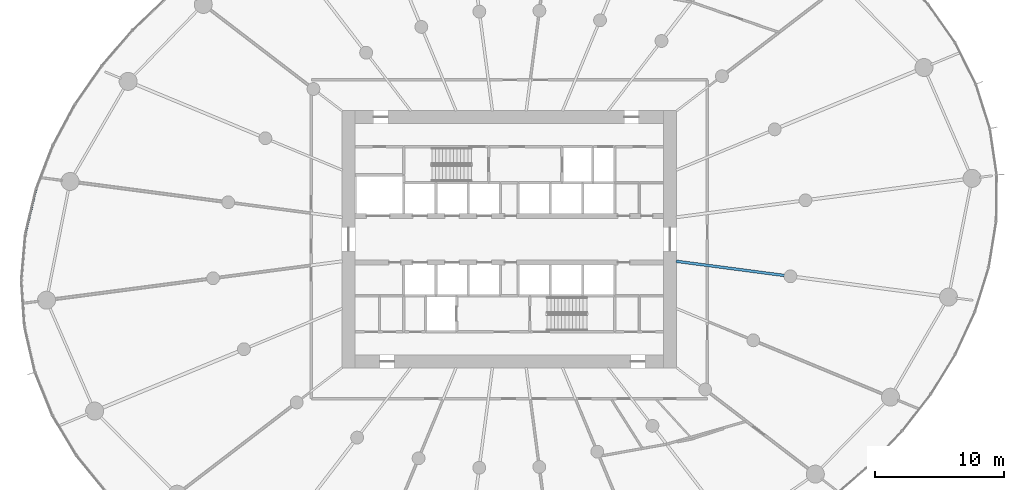
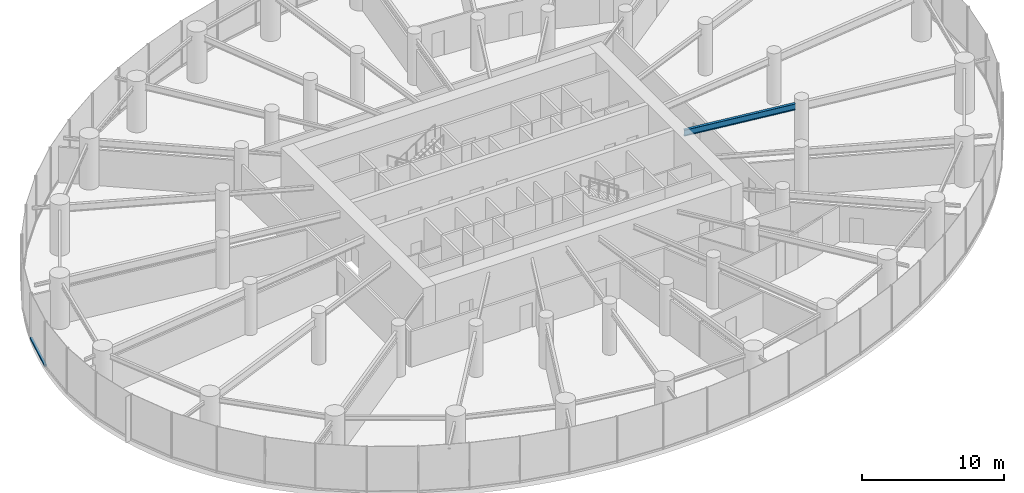
# One storey, part 5 of 18: 1 beam, 1 member, 1 element without a shape of its own.
"""IFC4 building model written with IfcOpenShell, lengths in metres."""

from ifc_helpers import new_model, si_unit, direction, frame, origin, origin_2d, place, context, subcontext, project, spatial, rectangle, i_section, extrude, source, transform, mapped, material, layer, layer_set, material_profile, profile_set, type_object, element, aggregate, save


model = new_model("IFC4")

# Units and contexts
model_context = context("Model", 3, precision=1e-05, world=origin(), true_north=direction((0.0, 1.0)))
body_context = subcontext(model_context, "Body", "Model", "MODEL_VIEW")
ifc_project = project(units=[si_unit("LENGTHUNIT", "METRE"), si_unit("AREAUNIT", "SQUARE_METRE"), si_unit("VOLUMEUNIT", "CUBIC_METRE"), si_unit("PLANEANGLEUNIT", "RADIAN"), si_unit("MASSUNIT", "GRAM", prefix="KILO")], contexts=[model_context])

# Site, building, storey
site_placement = place(None, origin())
site = spatial("IfcSite", under=ifc_project, at=site_placement, CompositionType="ELEMENT")
building_placement = place(site_placement, origin())
building = spatial("IfcBuilding", under=site, at=building_placement, Name="Spindrift Exchange Tower", CompositionType="ELEMENT")
storey_placement = place(building_placement, frame((0.0, 0.0, 62.199951171875)))
storey = spatial("IfcBuildingStorey", under=building, at=storey_placement, Name="L14", CompositionType="ELEMENT", Elevation=62.199951171875)

# Beam
ifc_material_1 = material(Name="Steel Grade 300", Category="steel")
ifc_material_profile_1 = material_profile(ifc_material_1, i_section(OverallWidth=0.208984375, OverallDepth=0.532958984375, WebThickness=0.01025390625, FlangeThickness=0.015625, FilletRadius=0.013916015625, at=origin_2d()), Name="530UB92.4")
ifc_profile_set_1 = profile_set([ifc_material_profile_1], Name="Steel Grade 300")
beam_type = type_object("IfcBeamType", Name="Floor Beam 530UB92.4 Steel Grade 300", PredefinedType="BEAM", material=ifc_profile_set_1)
shared_shape_1 = source(origin(), body_context, "Body", "SweptSolid", [
    extrude(i_section(OverallWidth=0.208984375, OverallDepth=0.532958984375, WebThickness=0.01025390625, FlangeThickness=0.015625, FilletRadius=0.013916015625, at=origin_2d()), origin(), (0.0, 0.0, 1.0), 8.4794921875),
])
beam_placement = place(storey_placement, frame((64.980224609375, 46.291015625, 3.68359375), z_axis=(0.991446551951, -0.13051335037, 0.0), x_axis=(0.13051335037, 0.991446551951, 0.0)))
element("IfcBeam", 1, at=beam_placement, inside=storey, type_object=beam_type, Name="L14 radial beam R24A", PredefinedType="BEAM", context=body_context, shape_type="MappedRepresentation", body=[
    mapped(shared_shape_1, transform((0.0, 0.0, 0.0), scale=1.0)),
])

# Curtain wall, member
ifc_material_2 = material(Name="Fritted laminated glass with bronze frame", Category="glass")
ifc_layer = layer(ifc_material_2, 0.199951171875)
ifc_layer_set = layer_set([ifc_layer], Name="ZONE 1 BRONZE FRITTED WALL")
curtain_wall_type = type_object("IfcCurtainWallType", Name="ZONE 1 BRONZE FRITTED WALL", PredefinedType="NOTDEFINED", material=ifc_layer_set)
curtain_wall_placement = place(storey_placement, origin())
curtain_wall = element("IfcCurtainWall", 2, at=curtain_wall_placement, inside=storey, type_object=curtain_wall_type, Name="L14 Zone 1 Bronze Fritted Wall run 5", PredefinedType="NOTDEFINED")
ifc_material_3 = material(Name="Bronze anodised aluminium", Category="aluminium")
ifc_material_profile_2 = material_profile(ifc_material_3, rectangle(XDim=0.179931640625, YDim=0.14990234375, at=origin_2d()), Name="ZONE 1 BRONZE FRITTED WALL TRANSOM 180X150")
ifc_profile_set_2 = profile_set([ifc_material_profile_2], Name="Bronze anodised aluminium")
member_type = type_object("IfcMemberType", Name="ZONE 1 BRONZE FRITTED WALL TRANSOM 180X150", PredefinedType="USERDEFINED", material=ifc_profile_set_2)
shared_shape_2 = source(origin(), body_context, "Body", "SweptSolid", [
    extrude(rectangle(XDim=0.179931640625, YDim=0.14990234375, at=origin_2d()), origin(), (0.0, 0.0, 1.0), 3.545166015625),
])
member_placement = place(storey_placement, frame((15.189208984375, 51.900634765625, 0.074951171875), z_axis=(-0.230770105765, -0.973008303297, 0.0), x_axis=(0.973008303297, -0.230770105765, 0.0)))
member = element("IfcMember", 3, at=member_placement, type_object=member_type, Name="L14 transom CW-1.27", ObjectType="TRANSOM", PredefinedType="USERDEFINED", context=body_context, shape_type="MappedRepresentation", body=[
    mapped(shared_shape_2, transform((0.0, 0.0, 0.0), scale=1.0)),
])
aggregate(curtain_wall, [member])

save(model, "model.ifc")
